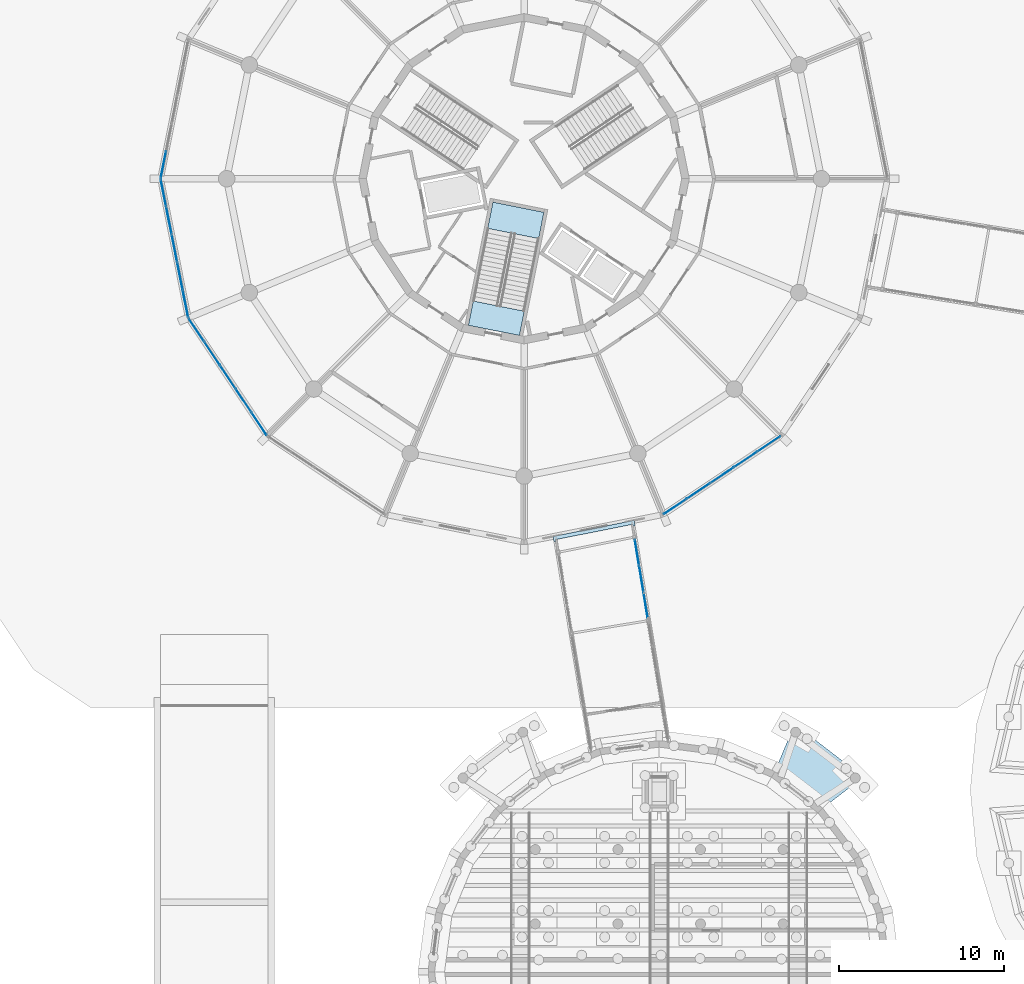
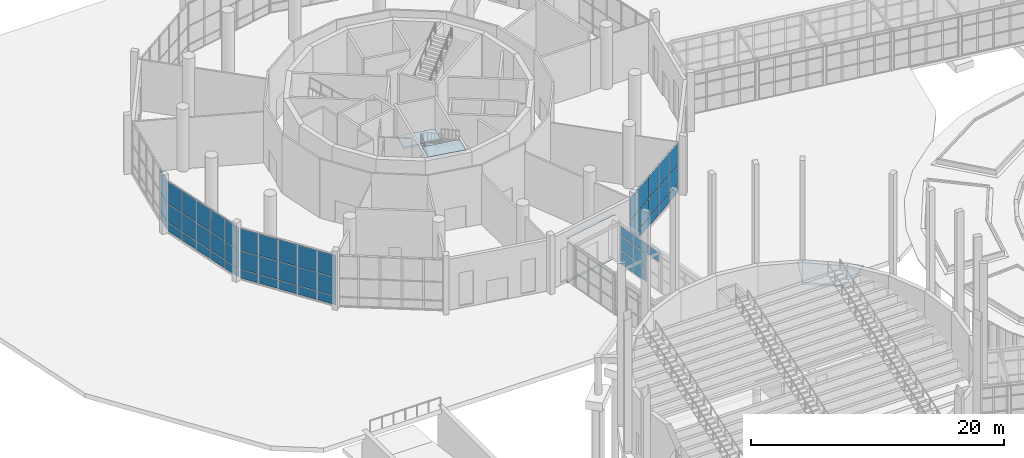
# One storey, part 130 of 226: 57 plates, 3 slabs, 6 elements without a shape of their own.
"""IFC4 building model written with IfcOpenShell, lengths in metres."""

from ifc_helpers import new_model, si_unit, direction, frame, origin, origin_2d, place, context, subcontext, project, spatial, polyline, rectangle, outline, extrude, material, layer, layer_set, type_object, element, aggregate, save


model = new_model("IFC4")

# Units and contexts
model_context = context("Model", 3, precision=1e-05, world=origin(), true_north=direction((0.0, 1.0)))
body_context = subcontext(model_context, "Body", "Model", "MODEL_VIEW")
ifc_project = project(units=[si_unit("LENGTHUNIT", "METRE"), si_unit("AREAUNIT", "SQUARE_METRE"), si_unit("VOLUMEUNIT", "CUBIC_METRE"), si_unit("PLANEANGLEUNIT", "RADIAN"), si_unit("MASSUNIT", "GRAM", prefix="KILO")], contexts=[model_context])

# Site, building, storey
site_placement = place(None, origin())
site = spatial("IfcSite", under=ifc_project, at=site_placement, CompositionType="ELEMENT")
building_placement = place(site_placement, origin())
building = spatial("IfcBuilding", under=site, at=building_placement, Name="Ceibo Conservatory and Research Tower", CompositionType="ELEMENT")
storey_placement = place(building_placement, origin())
storey = spatial("IfcBuildingStorey", under=building, at=storey_placement, Name="L00", CompositionType="ELEMENT", Elevation=0.0)

# Stair, slabs
ifc_material_1 = material(Name="Concrete C35/45", Category="concrete")
stair_type = type_object("IfcStairType", Name="Escape stair 176 x 280", PredefinedType="HALF_TURN_STAIR", material=ifc_material_1)
stair_placement = place(storey_placement, origin())
stair = element("IfcStair", 1, at=stair_placement, inside=storey, type_object=stair_type, Name="Escape stair ST3 00", PredefinedType="HALF_TURN_STAIR")
ifc_layer_1 = layer(ifc_material_1, 0.199951171875)
ifc_layer_set_1 = layer_set([ifc_layer_1], Name="Concrete C35/45")
slab_type_1 = type_object("IfcSlabType", Name="Escape stair landing", PredefinedType="LANDING", material=ifc_layer_set_1)
slab_1_placement = place(storey_placement, frame((48.8857421875, 116.3798828125, 2.800048828125), z_axis=(0.0, 0.0, 1.0), x_axis=(0.195090322016, 0.980785280403, 0.0)))
slab_1 = element("IfcSlab", 2, at=slab_1_placement, type_object=slab_type_1, Name="ST3 landing 1", PredefinedType="LANDING", context=body_context, shape_type="SweptSolid", body=[
    extrude(outline(polyline([(0.0, 0.0), (1.619873046875, 0.0), (1.619873046875, 3.14990234375), (0.0, 3.14990234375), (0.0, 0.0)])), origin(), (0.0, 0.0, 1.0), 0.199951171875),
])
slab_2_placement = place(storey_placement, frame((47.718994140625, 110.5146484375, 5.800048828125), z_axis=(0.0, 0.0, 1.0), x_axis=(0.195090322016, 0.980785280403, 0.0)))
slab_2 = element("IfcSlab", 3, at=slab_2_placement, type_object=slab_type_1, Name="ST3 landing 2", PredefinedType="LANDING", context=body_context, shape_type="SweptSolid", body=[
    extrude(outline(polyline([(0.0, 0.0), (1.5, 0.0), (1.5, 3.14990234375), (0.0, 3.14990234375), (0.0, 0.0)])), origin(), (0.0, 0.0, 1.0), 0.199951171875),
])
aggregate(stair, [slab_1, slab_2])

# Curtain wall, plates
ifc_material_2 = material(Name="Aluminium and glass", Category="aluminium")
curtain_wall_type_1 = type_object("IfcCurtainWallType", Name="Gallery curtain wall", PredefinedType="NOTDEFINED", material=ifc_material_2)
curtain_wall_1_placement = place(storey_placement, origin())
curtain_wall_1 = element("IfcCurtainWall", 4, at=curtain_wall_1_placement, inside=storey, type_object=curtain_wall_type_1, Name="Gallery curtain wall RT-AUD-CWN01", PredefinedType="NOTDEFINED")
ifc_material_3 = material(Name="Laminated glass", Category="glass")
ifc_layer_2 = layer(ifc_material_3, 0.028076171875)
ifc_layer_set_2 = layer_set([ifc_layer_2], Name="Laminated glass")
plate_type_1 = type_object("IfcPlateType", Name="Gallery glass 28", PredefinedType="CURTAIN_PANEL", material=ifc_layer_set_2)
plate_1_placement = place(storey_placement, frame((54.830810546875, 97.38623046875, 0.06005859375), z_axis=(0.0, 0.0, 1.0), x_axis=(0.162895430671, -0.986643339139, 0.0)))
plate_1 = element("IfcPlate", 5, at=plate_1_placement, type_object=plate_type_1, Name="RT-AUD-CWN01 panel 1.1", PredefinedType="CURTAIN_PANEL", context=body_context, shape_type="SweptSolid", body=[
    extrude(rectangle(XDim=1.551513671875, YDim=0.028076171875, at=origin_2d()), origin(), (0.0, 0.0, 1.0), 1.31005859375),
])
plate_2_placement = place(storey_placement, frame((54.830810546875, 97.38623046875, 1.43017578125), z_axis=(0.0, 0.0, 1.0), x_axis=(0.162895430671, -0.986643339139, 0.0)))
plate_2 = element("IfcPlate", 6, at=plate_2_placement, type_object=plate_type_1, Name="RT-AUD-CWN01 panel 1.2", PredefinedType="CURTAIN_PANEL", context=body_context, shape_type="SweptSolid", body=[
    extrude(rectangle(XDim=1.551513671875, YDim=0.028076171875, at=origin_2d()), origin(), (0.0, 0.0, 1.0), 1.340087890625),
])
plate_3_placement = place(storey_placement, frame((54.830810546875, 97.38623046875, 2.830078125), z_axis=(0.0, 0.0, 1.0), x_axis=(0.162895430671, -0.986643339139, 0.0)))
plate_3 = element("IfcPlate", 7, at=plate_3_placement, type_object=plate_type_1, Name="RT-AUD-CWN01 panel 1.3", PredefinedType="CURTAIN_PANEL", context=body_context, shape_type="SweptSolid", body=[
    extrude(rectangle(XDim=1.551513671875, YDim=0.028076171875, at=origin_2d()), origin(), (0.0, 0.0, 1.0), 0.909912109375),
])
plate_4_placement = place(storey_placement, frame((55.095947265625, 95.781494140625, 0.06005859375), z_axis=(0.0, 0.0, 1.0), x_axis=(0.162895430671, -0.986643339139, 0.0)))
plate_4 = element("IfcPlate", 8, at=plate_4_placement, type_object=plate_type_1, Name="RT-AUD-CWN01 panel 2.1", PredefinedType="CURTAIN_PANEL", context=body_context, shape_type="SweptSolid", body=[
    extrude(rectangle(XDim=1.581298828125, YDim=0.028076171875, at=origin_2d()), origin(), (0.0, 0.0, 1.0), 1.31005859375),
])
plate_5_placement = place(storey_placement, frame((55.095947265625, 95.781494140625, 1.43017578125), z_axis=(0.0, 0.0, 1.0), x_axis=(0.162895430671, -0.986643339139, 0.0)))
plate_5 = element("IfcPlate", 9, at=plate_5_placement, type_object=plate_type_1, Name="RT-AUD-CWN01 panel 2.2", PredefinedType="CURTAIN_PANEL", context=body_context, shape_type="SweptSolid", body=[
    extrude(rectangle(XDim=1.581298828125, YDim=0.028076171875, at=origin_2d()), origin(), (0.0, 0.0, 1.0), 1.340087890625),
])
plate_6_placement = place(storey_placement, frame((55.095947265625, 95.781494140625, 2.830078125), z_axis=(0.0, 0.0, 1.0), x_axis=(0.162895430671, -0.986643339139, 0.0)))
plate_6 = element("IfcPlate", 10, at=plate_6_placement, type_object=plate_type_1, Name="RT-AUD-CWN01 panel 2.3", PredefinedType="CURTAIN_PANEL", context=body_context, shape_type="SweptSolid", body=[
    extrude(rectangle(XDim=1.581298828125, YDim=0.028076171875, at=origin_2d()), origin(), (0.0, 0.0, 1.0), 0.909912109375),
])
plate_7_placement = place(storey_placement, frame((55.36083984375, 94.1767578125, 2.830078125), z_axis=(0.0, 0.0, 1.0), x_axis=(0.162895430671, -0.986643339139, 0.0)))
plate_7 = element("IfcPlate", 11, at=plate_7_placement, type_object=plate_type_1, Name="RT-AUD-CWN01 panel 3.3", PredefinedType="CURTAIN_PANEL", context=body_context, shape_type="SweptSolid", body=[
    extrude(rectangle(XDim=1.551513671875, YDim=0.028076171875, at=origin_2d()), origin(), (0.0, 0.0, 1.0), 0.909912109375),
])
aggregate(curtain_wall_1, [plate_1, plate_2, plate_3, plate_4, plate_5, plate_6, plate_7])

curtain_wall_type_2 = type_object("IfcCurtainWallType", Name="Curtain wall CW1", PredefinedType="NOTDEFINED", material=ifc_material_2)
curtain_wall_2_placement = place(storey_placement, origin())
curtain_wall_2 = element("IfcCurtainWall", 12, at=curtain_wall_2_placement, inside=storey, type_object=curtain_wall_type_2, Name="CW-00.08", PredefinedType="NOTDEFINED")
ifc_material_4 = material(Name="Glass", Category="glass")
ifc_layer_3 = layer(ifc_material_4, 0.028076171875)
ifc_layer_set_3 = layer_set([ifc_layer_3], Name="Glass")
plate_type_2 = type_object("IfcPlateType", Name="Insulated glass panel 28", PredefinedType="CURTAIN_PANEL", material=ifc_layer_set_3)
plate_8_placement = place(storey_placement, frame((26.17041015625, 120.856689453125, 0.06005859375), z_axis=(0.0, 0.0, 1.0), x_axis=(-0.195090279221, -0.980785288916, 0.0)))
plate_8 = element("IfcPlate", 13, at=plate_8_placement, type_object=plate_type_2, Name="CW-00.08 panel 5.1", PredefinedType="CURTAIN_PANEL", context=body_context, shape_type="SweptSolid", body=[
    extrude(rectangle(XDim=1.626708984375, YDim=0.028076171875, at=origin_2d()), origin(), (0.0, 0.0, 1.0), 0.81005859375),
])
plate_9_placement = place(storey_placement, frame((26.17041015625, 120.856689453125, 0.93017578125), z_axis=(0.0, 0.0, 1.0), x_axis=(-0.195090279221, -0.980785288916, 0.0)))
plate_9 = element("IfcPlate", 14, at=plate_9_placement, type_object=plate_type_2, Name="CW-00.08 panel 5.2", PredefinedType="CURTAIN_PANEL", context=body_context, shape_type="SweptSolid", body=[
    extrude(rectangle(XDim=1.626708984375, YDim=0.028076171875, at=origin_2d()), origin(), (0.0, 0.0, 1.0), 1.739990234375),
])
plate_10_placement = place(storey_placement, frame((26.17041015625, 120.856689453125, 2.72998046875), z_axis=(0.0, 0.0, 1.0), x_axis=(-0.195090279221, -0.980785288916, 0.0)))
plate_10 = element("IfcPlate", 15, at=plate_10_placement, type_object=plate_type_2, Name="CW-00.08 panel 5.3", PredefinedType="CURTAIN_PANEL", context=body_context, shape_type="SweptSolid", body=[
    extrude(rectangle(XDim=1.626708984375, YDim=0.028076171875, at=origin_2d()), origin(), (0.0, 0.0, 1.0), 2.110107421875),
])
aggregate(curtain_wall_2, [plate_8, plate_9, plate_10])

curtain_wall_3_placement = place(storey_placement, origin())
curtain_wall_3 = element("IfcCurtainWall", 16, at=curtain_wall_3_placement, inside=storey, type_object=curtain_wall_type_2, Name="CW-00.09", PredefinedType="NOTDEFINED")
plate_11_placement = place(storey_placement, frame((26.17041015625, 119.143310546875, 0.06005859375), z_axis=(0.0, 0.0, 1.0), x_axis=(0.195090279221, -0.980785288916, 0.0)))
plate_11 = element("IfcPlate", 17, at=plate_11_placement, type_object=plate_type_2, Name="CW-00.09 panel 1.1", PredefinedType="CURTAIN_PANEL", context=body_context, shape_type="SweptSolid", body=[
    extrude(rectangle(XDim=1.626708984375, YDim=0.028076171875, at=origin_2d()), origin(), (0.0, 0.0, 1.0), 0.81005859375),
])
plate_12_placement = place(storey_placement, frame((26.17041015625, 119.143310546875, 0.93017578125), z_axis=(0.0, 0.0, 1.0), x_axis=(0.195090279221, -0.980785288916, 0.0)))
plate_12 = element("IfcPlate", 18, at=plate_12_placement, type_object=plate_type_2, Name="CW-00.09 panel 1.2", PredefinedType="CURTAIN_PANEL", context=body_context, shape_type="SweptSolid", body=[
    extrude(rectangle(XDim=1.626708984375, YDim=0.028076171875, at=origin_2d()), origin(), (0.0, 0.0, 1.0), 1.739990234375),
])
plate_13_placement = place(storey_placement, frame((26.17041015625, 119.143310546875, 2.72998046875), z_axis=(0.0, 0.0, 1.0), x_axis=(0.195090279221, -0.980785288916, 0.0)))
plate_13 = element("IfcPlate", 19, at=plate_13_placement, type_object=plate_type_2, Name="CW-00.09 panel 1.3", PredefinedType="CURTAIN_PANEL", context=body_context, shape_type="SweptSolid", body=[
    extrude(rectangle(XDim=1.626708984375, YDim=0.028076171875, at=origin_2d()), origin(), (0.0, 0.0, 1.0), 2.110107421875),
])
plate_14_placement = place(storey_placement, frame((26.50244140625, 117.474365234375, 0.06005859375), z_axis=(0.0, 0.0, 1.0), x_axis=(0.195090279221, -0.980785288916, 0.0)))
plate_14 = element("IfcPlate", 20, at=plate_14_placement, type_object=plate_type_2, Name="CW-00.09 panel 2.1", PredefinedType="CURTAIN_PANEL", context=body_context, shape_type="SweptSolid", body=[
    extrude(rectangle(XDim=1.65673828125, YDim=0.028076171875, at=origin_2d()), origin(), (0.0, 0.0, 1.0), 0.81005859375),
])
plate_15_placement = place(storey_placement, frame((26.50244140625, 117.474365234375, 0.93017578125), z_axis=(0.0, 0.0, 1.0), x_axis=(0.195090279221, -0.980785288916, 0.0)))
plate_15 = element("IfcPlate", 21, at=plate_15_placement, type_object=plate_type_2, Name="CW-00.09 panel 2.2", PredefinedType="CURTAIN_PANEL", context=body_context, shape_type="SweptSolid", body=[
    extrude(rectangle(XDim=1.65673828125, YDim=0.028076171875, at=origin_2d()), origin(), (0.0, 0.0, 1.0), 1.739990234375),
])
plate_16_placement = place(storey_placement, frame((26.50244140625, 117.474365234375, 2.72998046875), z_axis=(0.0, 0.0, 1.0), x_axis=(0.195090279221, -0.980785288916, 0.0)))
plate_16 = element("IfcPlate", 22, at=plate_16_placement, type_object=plate_type_2, Name="CW-00.09 panel 2.3", PredefinedType="CURTAIN_PANEL", context=body_context, shape_type="SweptSolid", body=[
    extrude(rectangle(XDim=1.65673828125, YDim=0.028076171875, at=origin_2d()), origin(), (0.0, 0.0, 1.0), 2.110107421875),
])
plate_17_placement = place(storey_placement, frame((26.83740234375, 115.79052734375, 0.06005859375), z_axis=(0.0, 0.0, 1.0), x_axis=(0.195090279221, -0.980785288916, 0.0)))
plate_17 = element("IfcPlate", 23, at=plate_17_placement, type_object=plate_type_2, Name="CW-00.09 panel 3.1", PredefinedType="CURTAIN_PANEL", context=body_context, shape_type="SweptSolid", body=[
    extrude(rectangle(XDim=1.65673828125, YDim=0.028076171875, at=origin_2d()), origin(), (0.0, 0.0, 1.0), 0.81005859375),
])
plate_18_placement = place(storey_placement, frame((26.83740234375, 115.79052734375, 0.93017578125), z_axis=(0.0, 0.0, 1.0), x_axis=(0.195090279221, -0.980785288916, 0.0)))
plate_18 = element("IfcPlate", 24, at=plate_18_placement, type_object=plate_type_2, Name="CW-00.09 panel 3.2", PredefinedType="CURTAIN_PANEL", context=body_context, shape_type="SweptSolid", body=[
    extrude(rectangle(XDim=1.65673828125, YDim=0.028076171875, at=origin_2d()), origin(), (0.0, 0.0, 1.0), 1.739990234375),
])
plate_19_placement = place(storey_placement, frame((26.83740234375, 115.79052734375, 2.72998046875), z_axis=(0.0, 0.0, 1.0), x_axis=(0.195090279221, -0.980785288916, 0.0)))
plate_19 = element("IfcPlate", 25, at=plate_19_placement, type_object=plate_type_2, Name="CW-00.09 panel 3.3", PredefinedType="CURTAIN_PANEL", context=body_context, shape_type="SweptSolid", body=[
    extrude(rectangle(XDim=1.65673828125, YDim=0.028076171875, at=origin_2d()), origin(), (0.0, 0.0, 1.0), 2.110107421875),
])
plate_20_placement = place(storey_placement, frame((27.17236328125, 114.106689453125, 0.06005859375), z_axis=(0.0, 0.0, 1.0), x_axis=(0.195090279221, -0.980785288916, 0.0)))
plate_20 = element("IfcPlate", 26, at=plate_20_placement, type_object=plate_type_2, Name="CW-00.09 panel 4.1", PredefinedType="CURTAIN_PANEL", context=body_context, shape_type="SweptSolid", body=[
    extrude(rectangle(XDim=1.65673828125, YDim=0.028076171875, at=origin_2d()), origin(), (0.0, 0.0, 1.0), 0.81005859375),
])
plate_21_placement = place(storey_placement, frame((27.17236328125, 114.106689453125, 0.93017578125), z_axis=(0.0, 0.0, 1.0), x_axis=(0.195090279221, -0.980785288916, 0.0)))
plate_21 = element("IfcPlate", 27, at=plate_21_placement, type_object=plate_type_2, Name="CW-00.09 panel 4.2", PredefinedType="CURTAIN_PANEL", context=body_context, shape_type="SweptSolid", body=[
    extrude(rectangle(XDim=1.65673828125, YDim=0.028076171875, at=origin_2d()), origin(), (0.0, 0.0, 1.0), 1.739990234375),
])
plate_22_placement = place(storey_placement, frame((27.17236328125, 114.106689453125, 2.72998046875), z_axis=(0.0, 0.0, 1.0), x_axis=(0.195090279221, -0.980785288916, 0.0)))
plate_22 = element("IfcPlate", 28, at=plate_22_placement, type_object=plate_type_2, Name="CW-00.09 panel 4.3", PredefinedType="CURTAIN_PANEL", context=body_context, shape_type="SweptSolid", body=[
    extrude(rectangle(XDim=1.65673828125, YDim=0.028076171875, at=origin_2d()), origin(), (0.0, 0.0, 1.0), 2.110107421875),
])
plate_23_placement = place(storey_placement, frame((27.504150390625, 112.4375, 0.06005859375), z_axis=(0.0, 0.0, 1.0), x_axis=(0.195090279221, -0.980785288916, 0.0)))
plate_23 = element("IfcPlate", 29, at=plate_23_placement, type_object=plate_type_2, Name="CW-00.09 panel 5.1", PredefinedType="CURTAIN_PANEL", context=body_context, shape_type="SweptSolid", body=[
    extrude(rectangle(XDim=1.626708984375, YDim=0.028076171875, at=origin_2d()), origin(), (0.0, 0.0, 1.0), 0.81005859375),
])
plate_24_placement = place(storey_placement, frame((27.504150390625, 112.4375, 0.93017578125), z_axis=(0.0, 0.0, 1.0), x_axis=(0.195090279221, -0.980785288916, 0.0)))
plate_24 = element("IfcPlate", 30, at=plate_24_placement, type_object=plate_type_2, Name="CW-00.09 panel 5.2", PredefinedType="CURTAIN_PANEL", context=body_context, shape_type="SweptSolid", body=[
    extrude(rectangle(XDim=1.626708984375, YDim=0.028076171875, at=origin_2d()), origin(), (0.0, 0.0, 1.0), 1.739990234375),
])
plate_25_placement = place(storey_placement, frame((27.504150390625, 112.4375, 2.72998046875), z_axis=(0.0, 0.0, 1.0), x_axis=(0.195090279221, -0.980785288916, 0.0)))
plate_25 = element("IfcPlate", 31, at=plate_25_placement, type_object=plate_type_2, Name="CW-00.09 panel 5.3", PredefinedType="CURTAIN_PANEL", context=body_context, shape_type="SweptSolid", body=[
    extrude(rectangle(XDim=1.626708984375, YDim=0.028076171875, at=origin_2d()), origin(), (0.0, 0.0, 1.0), 2.110107421875),
])
aggregate(curtain_wall_3, [plate_11, plate_12, plate_13, plate_14, plate_15, plate_16, plate_17, plate_18, plate_19, plate_20, plate_21, plate_22, plate_23, plate_24, plate_25])

curtain_wall_4_placement = place(storey_placement, origin())
curtain_wall_4 = element("IfcCurtainWall", 32, at=curtain_wall_4_placement, inside=storey, type_object=curtain_wall_type_2, Name="CW-00.10", PredefinedType="NOTDEFINED")
plate_26_placement = place(storey_placement, frame((28.159912109375, 110.854736328125, 0.06005859375), z_axis=(0.0, 0.0, 1.0), x_axis=(0.555570307219, -0.831469562724, 0.0)))
plate_26 = element("IfcPlate", 33, at=plate_26_placement, type_object=plate_type_2, Name="CW-00.10 panel 1.1", PredefinedType="CURTAIN_PANEL", context=body_context, shape_type="SweptSolid", body=[
    extrude(rectangle(XDim=1.626708984375, YDim=0.028076171875, at=origin_2d()), origin(), (0.0, 0.0, 1.0), 0.81005859375),
])
plate_27_placement = place(storey_placement, frame((28.159912109375, 110.854736328125, 0.93017578125), z_axis=(0.0, 0.0, 1.0), x_axis=(0.555570307219, -0.831469562724, 0.0)))
plate_27 = element("IfcPlate", 34, at=plate_27_placement, type_object=plate_type_2, Name="CW-00.10 panel 1.2", PredefinedType="CURTAIN_PANEL", context=body_context, shape_type="SweptSolid", body=[
    extrude(rectangle(XDim=1.626708984375, YDim=0.028076171875, at=origin_2d()), origin(), (0.0, 0.0, 1.0), 1.739990234375),
])
plate_28_placement = place(storey_placement, frame((28.159912109375, 110.854736328125, 2.72998046875), z_axis=(0.0, 0.0, 1.0), x_axis=(0.555570307219, -0.831469562724, 0.0)))
plate_28 = element("IfcPlate", 35, at=plate_28_placement, type_object=plate_type_2, Name="CW-00.10 panel 1.3", PredefinedType="CURTAIN_PANEL", context=body_context, shape_type="SweptSolid", body=[
    extrude(rectangle(XDim=1.626708984375, YDim=0.028076171875, at=origin_2d()), origin(), (0.0, 0.0, 1.0), 2.110107421875),
])
plate_29_placement = place(storey_placement, frame((29.10546875, 109.439697265625, 0.06005859375), z_axis=(0.0, 0.0, 1.0), x_axis=(0.555570307219, -0.831469562724, 0.0)))
plate_29 = element("IfcPlate", 36, at=plate_29_placement, type_object=plate_type_2, Name="CW-00.10 panel 2.1", PredefinedType="CURTAIN_PANEL", context=body_context, shape_type="SweptSolid", body=[
    extrude(rectangle(XDim=1.65673828125, YDim=0.028076171875, at=origin_2d()), origin(), (0.0, 0.0, 1.0), 0.81005859375),
])
plate_30_placement = place(storey_placement, frame((29.10546875, 109.439697265625, 0.93017578125), z_axis=(0.0, 0.0, 1.0), x_axis=(0.555570307219, -0.831469562724, 0.0)))
plate_30 = element("IfcPlate", 37, at=plate_30_placement, type_object=plate_type_2, Name="CW-00.10 panel 2.2", PredefinedType="CURTAIN_PANEL", context=body_context, shape_type="SweptSolid", body=[
    extrude(rectangle(XDim=1.65673828125, YDim=0.028076171875, at=origin_2d()), origin(), (0.0, 0.0, 1.0), 1.739990234375),
])
plate_31_placement = place(storey_placement, frame((29.10546875, 109.439697265625, 2.72998046875), z_axis=(0.0, 0.0, 1.0), x_axis=(0.555570307219, -0.831469562724, 0.0)))
plate_31 = element("IfcPlate", 38, at=plate_31_placement, type_object=plate_type_2, Name="CW-00.10 panel 2.3", PredefinedType="CURTAIN_PANEL", context=body_context, shape_type="SweptSolid", body=[
    extrude(rectangle(XDim=1.65673828125, YDim=0.028076171875, at=origin_2d()), origin(), (0.0, 0.0, 1.0), 2.110107421875),
])
plate_32_placement = place(storey_placement, frame((30.05908203125, 108.01220703125, 0.06005859375), z_axis=(0.0, 0.0, 1.0), x_axis=(0.555570307219, -0.831469562724, 0.0)))
plate_32 = element("IfcPlate", 39, at=plate_32_placement, type_object=plate_type_2, Name="CW-00.10 panel 3.1", PredefinedType="CURTAIN_PANEL", context=body_context, shape_type="SweptSolid", body=[
    extrude(rectangle(XDim=1.65673828125, YDim=0.028076171875, at=origin_2d()), origin(), (0.0, 0.0, 1.0), 0.81005859375),
])
plate_33_placement = place(storey_placement, frame((30.05908203125, 108.01220703125, 0.93017578125), z_axis=(0.0, 0.0, 1.0), x_axis=(0.555570307219, -0.831469562724, 0.0)))
plate_33 = element("IfcPlate", 40, at=plate_33_placement, type_object=plate_type_2, Name="CW-00.10 panel 3.2", PredefinedType="CURTAIN_PANEL", context=body_context, shape_type="SweptSolid", body=[
    extrude(rectangle(XDim=1.65673828125, YDim=0.028076171875, at=origin_2d()), origin(), (0.0, 0.0, 1.0), 1.739990234375),
])
plate_34_placement = place(storey_placement, frame((30.05908203125, 108.01220703125, 2.72998046875), z_axis=(0.0, 0.0, 1.0), x_axis=(0.555570307219, -0.831469562724, 0.0)))
plate_34 = element("IfcPlate", 41, at=plate_34_placement, type_object=plate_type_2, Name="CW-00.10 panel 3.3", PredefinedType="CURTAIN_PANEL", context=body_context, shape_type="SweptSolid", body=[
    extrude(rectangle(XDim=1.65673828125, YDim=0.028076171875, at=origin_2d()), origin(), (0.0, 0.0, 1.0), 2.110107421875),
])
plate_35_placement = place(storey_placement, frame((31.012939453125, 106.5849609375, 0.06005859375), z_axis=(0.0, 0.0, 1.0), x_axis=(0.555570307219, -0.831469562724, 0.0)))
plate_35 = element("IfcPlate", 42, at=plate_35_placement, type_object=plate_type_2, Name="CW-00.10 panel 4.1", PredefinedType="CURTAIN_PANEL", context=body_context, shape_type="SweptSolid", body=[
    extrude(rectangle(XDim=1.65673828125, YDim=0.028076171875, at=origin_2d()), origin(), (0.0, 0.0, 1.0), 0.81005859375),
])
plate_36_placement = place(storey_placement, frame((31.012939453125, 106.5849609375, 0.93017578125), z_axis=(0.0, 0.0, 1.0), x_axis=(0.555570307219, -0.831469562724, 0.0)))
plate_36 = element("IfcPlate", 43, at=plate_36_placement, type_object=plate_type_2, Name="CW-00.10 panel 4.2", PredefinedType="CURTAIN_PANEL", context=body_context, shape_type="SweptSolid", body=[
    extrude(rectangle(XDim=1.65673828125, YDim=0.028076171875, at=origin_2d()), origin(), (0.0, 0.0, 1.0), 1.739990234375),
])
plate_37_placement = place(storey_placement, frame((31.012939453125, 106.5849609375, 2.72998046875), z_axis=(0.0, 0.0, 1.0), x_axis=(0.555570307219, -0.831469562724, 0.0)))
plate_37 = element("IfcPlate", 44, at=plate_37_placement, type_object=plate_type_2, Name="CW-00.10 panel 4.3", PredefinedType="CURTAIN_PANEL", context=body_context, shape_type="SweptSolid", body=[
    extrude(rectangle(XDim=1.65673828125, YDim=0.028076171875, at=origin_2d()), origin(), (0.0, 0.0, 1.0), 2.110107421875),
])
plate_38_placement = place(storey_placement, frame((31.95849609375, 105.169921875, 0.06005859375), z_axis=(0.0, 0.0, 1.0), x_axis=(0.555570307219, -0.831469562724, 0.0)))
plate_38 = element("IfcPlate", 45, at=plate_38_placement, type_object=plate_type_2, Name="CW-00.10 panel 5.1", PredefinedType="CURTAIN_PANEL", context=body_context, shape_type="SweptSolid", body=[
    extrude(rectangle(XDim=1.626708984375, YDim=0.028076171875, at=origin_2d()), origin(), (0.0, 0.0, 1.0), 0.81005859375),
])
plate_39_placement = place(storey_placement, frame((31.95849609375, 105.169921875, 0.93017578125), z_axis=(0.0, 0.0, 1.0), x_axis=(0.555570307219, -0.831469562724, 0.0)))
plate_39 = element("IfcPlate", 46, at=plate_39_placement, type_object=plate_type_2, Name="CW-00.10 panel 5.2", PredefinedType="CURTAIN_PANEL", context=body_context, shape_type="SweptSolid", body=[
    extrude(rectangle(XDim=1.626708984375, YDim=0.028076171875, at=origin_2d()), origin(), (0.0, 0.0, 1.0), 1.739990234375),
])
plate_40_placement = place(storey_placement, frame((31.95849609375, 105.169921875, 2.72998046875), z_axis=(0.0, 0.0, 1.0), x_axis=(0.555570307219, -0.831469562724, 0.0)))
plate_40 = element("IfcPlate", 47, at=plate_40_placement, type_object=plate_type_2, Name="CW-00.10 panel 5.3", PredefinedType="CURTAIN_PANEL", context=body_context, shape_type="SweptSolid", body=[
    extrude(rectangle(XDim=1.626708984375, YDim=0.028076171875, at=origin_2d()), origin(), (0.0, 0.0, 1.0), 2.110107421875),
])
aggregate(curtain_wall_4, [plate_26, plate_27, plate_28, plate_29, plate_30, plate_31, plate_32, plate_33, plate_34, plate_35, plate_36, plate_37, plate_38, plate_39, plate_40])

curtain_wall_5_placement = place(storey_placement, origin())
curtain_wall_5 = element("IfcCurtainWall", 48, at=curtain_wall_5_placement, inside=storey, type_object=curtain_wall_type_2, Name="CW-00.14", PredefinedType="NOTDEFINED")
plate_41_placement = place(storey_placement, frame((57.145263671875, 100.159912109375, 0.06005859375), z_axis=(0.0, 0.0, 1.0), x_axis=(0.831469562724, 0.555570307219, 0.0)))
plate_41 = element("IfcPlate", 49, at=plate_41_placement, type_object=plate_type_2, Name="CW-00.14 panel 1.1", PredefinedType="CURTAIN_PANEL", context=body_context, shape_type="SweptSolid", body=[
    extrude(rectangle(XDim=1.626708984375, YDim=0.028076171875, at=origin_2d()), origin(), (0.0, 0.0, 1.0), 0.81005859375),
])
plate_42_placement = place(storey_placement, frame((57.145263671875, 100.159912109375, 0.93017578125), z_axis=(0.0, 0.0, 1.0), x_axis=(0.831469562724, 0.555570307219, 0.0)))
plate_42 = element("IfcPlate", 50, at=plate_42_placement, type_object=plate_type_2, Name="CW-00.14 panel 1.2", PredefinedType="CURTAIN_PANEL", context=body_context, shape_type="SweptSolid", body=[
    extrude(rectangle(XDim=1.626708984375, YDim=0.028076171875, at=origin_2d()), origin(), (0.0, 0.0, 1.0), 1.739990234375),
])
plate_43_placement = place(storey_placement, frame((57.145263671875, 100.159912109375, 2.72998046875), z_axis=(0.0, 0.0, 1.0), x_axis=(0.831469562724, 0.555570307219, 0.0)))
plate_43 = element("IfcPlate", 51, at=plate_43_placement, type_object=plate_type_2, Name="CW-00.14 panel 1.3", PredefinedType="CURTAIN_PANEL", context=body_context, shape_type="SweptSolid", body=[
    extrude(rectangle(XDim=1.626708984375, YDim=0.028076171875, at=origin_2d()), origin(), (0.0, 0.0, 1.0), 2.110107421875),
])
plate_44_placement = place(storey_placement, frame((58.560302734375, 101.10546875, 0.06005859375), z_axis=(0.0, 0.0, 1.0), x_axis=(0.831469562724, 0.555570307219, 0.0)))
plate_44 = element("IfcPlate", 52, at=plate_44_placement, type_object=plate_type_2, Name="CW-00.14 panel 2.1", PredefinedType="CURTAIN_PANEL", context=body_context, shape_type="SweptSolid", body=[
    extrude(rectangle(XDim=1.65673828125, YDim=0.028076171875, at=origin_2d()), origin(), (0.0, 0.0, 1.0), 0.81005859375),
])
plate_45_placement = place(storey_placement, frame((58.560302734375, 101.10546875, 0.93017578125), z_axis=(0.0, 0.0, 1.0), x_axis=(0.831469562724, 0.555570307219, 0.0)))
plate_45 = element("IfcPlate", 53, at=plate_45_placement, type_object=plate_type_2, Name="CW-00.14 panel 2.2", PredefinedType="CURTAIN_PANEL", context=body_context, shape_type="SweptSolid", body=[
    extrude(rectangle(XDim=1.65673828125, YDim=0.028076171875, at=origin_2d()), origin(), (0.0, 0.0, 1.0), 1.739990234375),
])
plate_46_placement = place(storey_placement, frame((58.560302734375, 101.10546875, 2.72998046875), z_axis=(0.0, 0.0, 1.0), x_axis=(0.831469562724, 0.555570307219, 0.0)))
plate_46 = element("IfcPlate", 54, at=plate_46_placement, type_object=plate_type_2, Name="CW-00.14 panel 2.3", PredefinedType="CURTAIN_PANEL", context=body_context, shape_type="SweptSolid", body=[
    extrude(rectangle(XDim=1.65673828125, YDim=0.028076171875, at=origin_2d()), origin(), (0.0, 0.0, 1.0), 2.110107421875),
])
plate_47_placement = place(storey_placement, frame((59.98779296875, 102.05908203125, 0.06005859375), z_axis=(0.0, 0.0, 1.0), x_axis=(0.831469562724, 0.555570307219, 0.0)))
plate_47 = element("IfcPlate", 55, at=plate_47_placement, type_object=plate_type_2, Name="CW-00.14 panel 3.1", PredefinedType="CURTAIN_PANEL", context=body_context, shape_type="SweptSolid", body=[
    extrude(rectangle(XDim=1.65673828125, YDim=0.028076171875, at=origin_2d()), origin(), (0.0, 0.0, 1.0), 0.81005859375),
])
plate_48_placement = place(storey_placement, frame((59.98779296875, 102.05908203125, 0.93017578125), z_axis=(0.0, 0.0, 1.0), x_axis=(0.831469562724, 0.555570307219, 0.0)))
plate_48 = element("IfcPlate", 56, at=plate_48_placement, type_object=plate_type_2, Name="CW-00.14 panel 3.2", PredefinedType="CURTAIN_PANEL", context=body_context, shape_type="SweptSolid", body=[
    extrude(rectangle(XDim=1.65673828125, YDim=0.028076171875, at=origin_2d()), origin(), (0.0, 0.0, 1.0), 1.739990234375),
])
plate_49_placement = place(storey_placement, frame((59.98779296875, 102.05908203125, 2.72998046875), z_axis=(0.0, 0.0, 1.0), x_axis=(0.831469562724, 0.555570307219, 0.0)))
plate_49 = element("IfcPlate", 57, at=plate_49_placement, type_object=plate_type_2, Name="CW-00.14 panel 3.3", PredefinedType="CURTAIN_PANEL", context=body_context, shape_type="SweptSolid", body=[
    extrude(rectangle(XDim=1.65673828125, YDim=0.028076171875, at=origin_2d()), origin(), (0.0, 0.0, 1.0), 2.110107421875),
])
plate_50_placement = place(storey_placement, frame((61.4150390625, 103.012939453125, 0.06005859375), z_axis=(0.0, 0.0, 1.0), x_axis=(0.831469562724, 0.555570307219, 0.0)))
plate_50 = element("IfcPlate", 58, at=plate_50_placement, type_object=plate_type_2, Name="CW-00.14 panel 4.1", PredefinedType="CURTAIN_PANEL", context=body_context, shape_type="SweptSolid", body=[
    extrude(rectangle(XDim=1.65673828125, YDim=0.028076171875, at=origin_2d()), origin(), (0.0, 0.0, 1.0), 0.81005859375),
])
plate_51_placement = place(storey_placement, frame((61.4150390625, 103.012939453125, 0.93017578125), z_axis=(0.0, 0.0, 1.0), x_axis=(0.831469562724, 0.555570307219, 0.0)))
plate_51 = element("IfcPlate", 59, at=plate_51_placement, type_object=plate_type_2, Name="CW-00.14 panel 4.2", PredefinedType="CURTAIN_PANEL", context=body_context, shape_type="SweptSolid", body=[
    extrude(rectangle(XDim=1.65673828125, YDim=0.028076171875, at=origin_2d()), origin(), (0.0, 0.0, 1.0), 1.739990234375),
])
plate_52_placement = place(storey_placement, frame((61.4150390625, 103.012939453125, 2.72998046875), z_axis=(0.0, 0.0, 1.0), x_axis=(0.831469562724, 0.555570307219, 0.0)))
plate_52 = element("IfcPlate", 60, at=plate_52_placement, type_object=plate_type_2, Name="CW-00.14 panel 4.3", PredefinedType="CURTAIN_PANEL", context=body_context, shape_type="SweptSolid", body=[
    extrude(rectangle(XDim=1.65673828125, YDim=0.028076171875, at=origin_2d()), origin(), (0.0, 0.0, 1.0), 2.110107421875),
])
plate_53_placement = place(storey_placement, frame((62.830078125, 103.95849609375, 0.06005859375), z_axis=(0.0, 0.0, 1.0), x_axis=(0.831469562724, 0.555570307219, 0.0)))
plate_53 = element("IfcPlate", 61, at=plate_53_placement, type_object=plate_type_2, Name="CW-00.14 panel 5.1", PredefinedType="CURTAIN_PANEL", context=body_context, shape_type="SweptSolid", body=[
    extrude(rectangle(XDim=1.626708984375, YDim=0.028076171875, at=origin_2d()), origin(), (0.0, 0.0, 1.0), 0.81005859375),
])
plate_54_placement = place(storey_placement, frame((62.830078125, 103.95849609375, 0.93017578125), z_axis=(0.0, 0.0, 1.0), x_axis=(0.831469562724, 0.555570307219, 0.0)))
plate_54 = element("IfcPlate", 62, at=plate_54_placement, type_object=plate_type_2, Name="CW-00.14 panel 5.2", PredefinedType="CURTAIN_PANEL", context=body_context, shape_type="SweptSolid", body=[
    extrude(rectangle(XDim=1.626708984375, YDim=0.028076171875, at=origin_2d()), origin(), (0.0, 0.0, 1.0), 1.739990234375),
])
plate_55_placement = place(storey_placement, frame((62.830078125, 103.95849609375, 2.72998046875), z_axis=(0.0, 0.0, 1.0), x_axis=(0.831469562724, 0.555570307219, 0.0)))
plate_55 = element("IfcPlate", 63, at=plate_55_placement, type_object=plate_type_2, Name="CW-00.14 panel 5.3", PredefinedType="CURTAIN_PANEL", context=body_context, shape_type="SweptSolid", body=[
    extrude(rectangle(XDim=1.626708984375, YDim=0.028076171875, at=origin_2d()), origin(), (0.0, 0.0, 1.0), 2.110107421875),
])
aggregate(curtain_wall_5, [plate_41, plate_42, plate_43, plate_44, plate_45, plate_46, plate_47, plate_48, plate_49, plate_50, plate_51, plate_52, plate_53, plate_54, plate_55])

# Plates
ifc_material_5 = material(Name="Stainless steel AISI 316", Category="steel")
ifc_layer_4 = layer(ifc_material_5, 0.010009765625)
ifc_layer_set_4 = layer_set([ifc_layer_4], Name="Stainless steel AISI 316")
plate_type_3 = type_object("IfcPlateType", Name="Movement joint floor cover plate 10", PredefinedType="SHEET", material=ifc_layer_set_4)
plate_56_placement = place(storey_placement, origin())
element("IfcPlate", 64, at=plate_56_placement, inside=storey, type_object=plate_type_3, Name="Movement joint cover floor RT-AUD-JF01", PredefinedType="SHEET", context=body_context, shape_type="SweptSolid", body=[
    extrude(outline(polyline([(54.59716796875, 98.986083984375), (54.580810546875, 99.084716796875), (49.909912109375, 98.155517578125), (49.92626953125, 98.056884765625), (49.808349609375, 98.033447265625), (49.756103515625, 98.349365234375), (54.662841796875, 99.3251953125), (54.71484375, 99.009521484375), (54.59716796875, 98.986083984375)])), origin(), (0.0, 0.0, 1.0), 0.010009765625),
])
ifc_layer_5 = layer(ifc_material_5, 0.010009765625)
ifc_layer_set_5 = layer_set([ifc_layer_5], Name="Stainless steel AISI 316")
plate_type_4 = type_object("IfcPlateType", Name="Movement joint roof cover plate 10", PredefinedType="SHEET", material=ifc_layer_set_5)
plate_57_placement = place(storey_placement, frame((0.0, 0.0, 4.199951171875)))
element("IfcPlate", 65, at=plate_57_placement, inside=storey, type_object=plate_type_4, Name="Movement joint cover roof RT-AUD-JR01", PredefinedType="SHEET", context=body_context, shape_type="SweptSolid", body=[
    extrude(outline(polyline([(54.59716796875, 98.986083984375), (54.580810546875, 99.084716796875), (49.909912109375, 98.155517578125), (49.92626953125, 98.056884765625), (49.808349609375, 98.033447265625), (49.756103515625, 98.349365234375), (54.662841796875, 99.3251953125), (54.71484375, 99.009521484375), (54.59716796875, 98.986083984375)])), origin(), (0.0, 0.0, 1.0), 0.010009765625),
])

# Slab
ifc_layer_6 = layer(ifc_material_1, 0.199951171875)
ifc_layer_set_6 = layer_set([ifc_layer_6], Name="Concrete C35/45")
slab_type_2 = type_object("IfcSlabType", Name="RC entrance canopy 200", PredefinedType="ROOF", material=ifc_layer_set_6)
slab_3_placement = place(storey_placement, frame((0.0, 0.0, 3.60009765625)))
element("IfcSlab", 66, at=slab_3_placement, inside=storey, type_object=slab_type_2, Name="Entrance canopy F04", PredefinedType="ROOF", context=body_context, shape_type="SweptSolid", body=[
    extrude(outline(polyline([(66.07958984375, 81.8994140625), (63.18017578125, 84.124267578125), (64.37158203125, 86.991455078125), (68.54052734375, 83.79248046875), (66.07958984375, 81.8994140625)])), origin(), (0.0, 0.0, 1.0), 0.199951171875),
])

save(model, "model.ifc")
